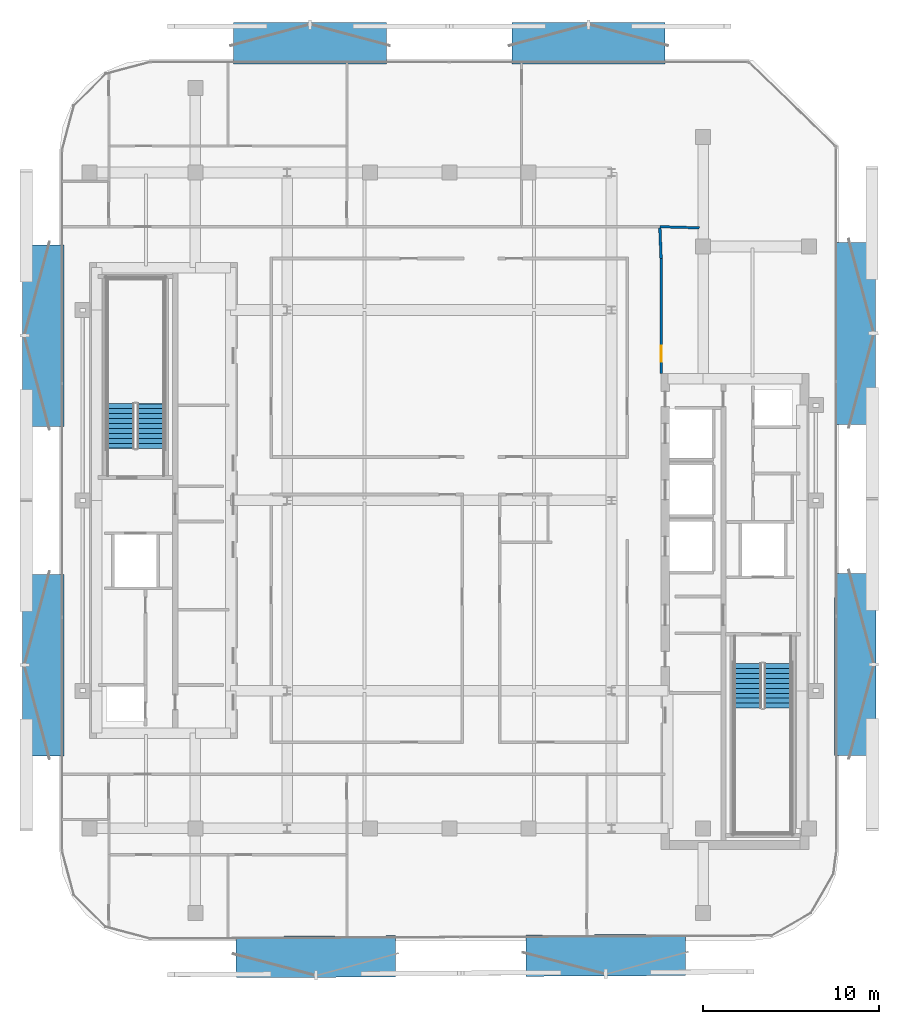
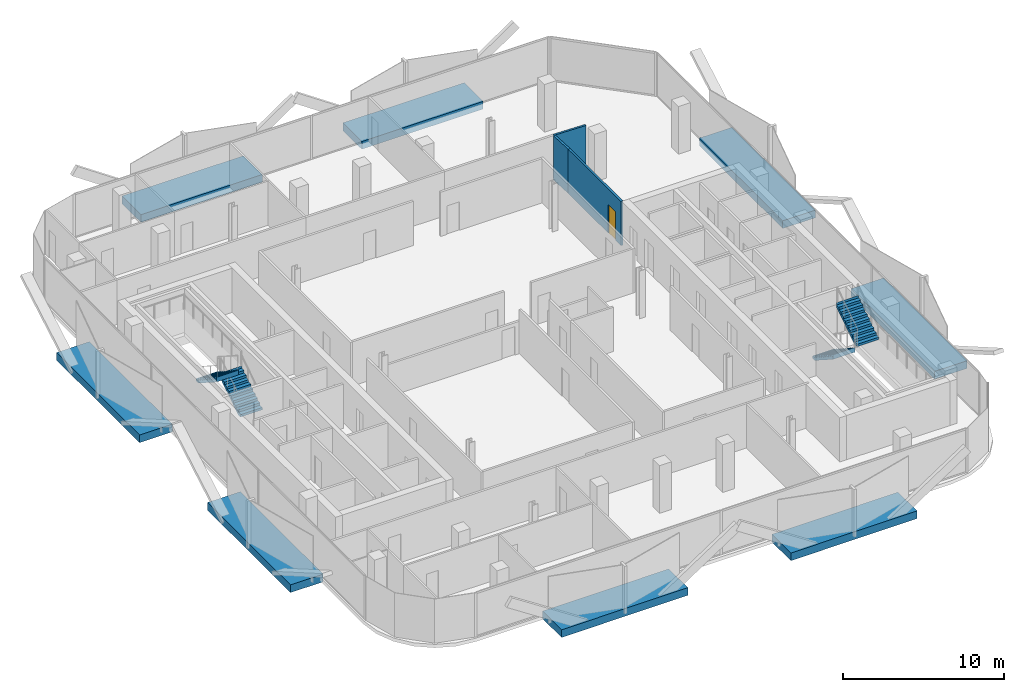
# One storey, part 6 of 14: 8 discrete accessories, 4 stair flights, 3 walls, 1 door, 1 opening, 2 elements without a shape of their own.
"""IFC4 building model written with IfcOpenShell, lengths in metres."""

import ifcopenshell
import ifcopenshell.guid

model = None  # the IFC model being written
_history = None  # IfcOwnerHistory: only IFC2X3 demands one
_inside = {}  # id of a spatial element -> (the spatial element, [elements in it])
_under = {}  # id of a project, library or spatial element -> (it, [spatial elements below it])
_declared = {}  # id of a project -> (the project, [libraries it declares])
_typed = {}  # id of a type object -> (the type object, [elements of that type])
_made_of = {}  # id of a material, layer set ... -> (it, [elements and type objects made of it])


def new_model(schema):
    """Start an empty IFC model of exactly this schema.

    Asked for "IFC4X3", IfcOpenShell would pick the latest addendum, in which some entities
    have other attributes; the version numbers below select the first issue.
    IFC2X3 requires an IfcOwnerHistory on every rooted entity: one is made here for all.
    """
    global model, _history
    if schema == "IFC4X3":
        model = ifcopenshell.file(schema_version=(4, 3, 0, 0))
    else:
        model = ifcopenshell.file(schema=schema)
    _inside.clear()
    _under.clear()
    _declared.clear()
    _typed.clear()
    _made_of.clear()
    _history = None
    if model.schema == "IFC2X3":
        org = make("IfcOrganization", Name="unknown")
        user = make(
            "IfcPersonAndOrganization",
            ThePerson=make("IfcPerson", FamilyName="unknown"),
            TheOrganization=org,
        )
        app = make(
            "IfcApplication",
            ApplicationDeveloper=org,
            Version="unknown",
            ApplicationFullName="unknown",
            ApplicationIdentifier="unknown",
        )
        _history = make(
            "IfcOwnerHistory",
            OwningUser=user,
            OwningApplication=app,
            ChangeAction="ADDED",
            CreationDate=0,
        )
    return model


def make(cls, **values):
    """One entity of the class cls with the attributes given. An attribute that is None is left unset."""
    return model.create_entity(
        cls, **{name: value for name, value in values.items() if value is not None}
    )


def rooted(cls, **values):
    """An entity with a GlobalId (a new one), such as an element, a storey or a relation."""
    return make(cls, GlobalId=ifcopenshell.guid.new(), OwnerHistory=_history, **values)


def si_unit(unit_type, name, prefix=None):
    """IfcSIUnit, for example si_unit("LENGTHUNIT", "METRE", prefix="MILLI")."""
    return make("IfcSIUnit", UnitType=unit_type, Prefix=prefix, Name=name)


def assignment(units):
    """IfcUnitAssignment: the units of a project."""
    return None if units is None else make("IfcUnitAssignment", Units=units)


def point(xyz):
    """IfcCartesianPoint."""
    return None if xyz is None else make("IfcCartesianPoint", Coordinates=xyz)


def direction(xyz):
    """IfcDirection."""
    return None if xyz is None else make("IfcDirection", DirectionRatios=xyz)


def frame(location, z_axis=None, x_axis=None):
    """IfcAxis2Placement3D, a coordinate frame: its origin and axes. An axis left out is left unset."""
    return make(
        "IfcAxis2Placement3D",
        Location=point(location),
        Axis=direction(z_axis),
        RefDirection=direction(x_axis),
    )


def frame_2d(location, x_axis=None):
    """IfcAxis2Placement2D, a coordinate frame in the plane: its origin and x axis."""
    return make(
        "IfcAxis2Placement2D", Location=point(location), RefDirection=direction(x_axis)
    )


def origin():
    """The frame at (0, 0, 0) with its axes left unset."""
    return frame((0.0, 0.0, 0.0))


def origin_2d():
    """The frame at (0, 0) in the plane with its x axis left unset."""
    return frame_2d((0.0, 0.0))


def place(relative_to, where):
    """IfcLocalPlacement: puts the frame where relative to a parent placement (None: the world)."""
    return make(
        "IfcLocalPlacement", PlacementRelTo=relative_to, RelativePlacement=where
    )


def context(
    kind, dimensions, precision=None, world=None, true_north=None, identifier=None
):
    """IfcGeometricRepresentationContext, for example the 3D "Model" context."""
    return make(
        "IfcGeometricRepresentationContext",
        ContextIdentifier=identifier,
        ContextType=kind,
        CoordinateSpaceDimension=dimensions,
        Precision=precision,
        WorldCoordinateSystem=world,
        TrueNorth=true_north,
    )


def subcontext(parent, identifier, kind, view, scale=None):
    """IfcGeometricRepresentationSubContext, for example "Body" below "Model"."""
    return make(
        "IfcGeometricRepresentationSubContext",
        ContextIdentifier=identifier,
        ContextType=kind,
        ParentContext=parent,
        TargetScale=scale,
        TargetView=view,
    )


def project(units=None, contexts=None):
    """IfcProject with its units and contexts."""
    return rooted(
        "IfcProject",
        Name="project",
        RepresentationContexts=contexts,
        UnitsInContext=assignment(units),
    )


def spatial(cls, under=None, at=None, **own):
    """A site, building, storey or space (cls), placed at a placement, below another one or the project."""
    s = rooted(cls, ObjectPlacement=at, **own)
    if under is not None:
        _under.setdefault(under.id(), (under, []))[1].append(s)
    return s


def polyline(points):
    """IfcPolyline through the points."""
    return make("IfcPolyline", Points=[point(p) for p in points])


def profile(cls, at=None, kind="AREA", **sizes):
    """A parametric profile (cls). Its sizes go by their IFC names, for example OverallWidth=200.0."""
    return make(cls, ProfileType=kind, Position=at, **sizes)


def rectangle(**sizes):
    """IfcRectangleProfileDef."""
    return profile("IfcRectangleProfileDef", **sizes)


def outline(outer, holes=None, kind="AREA"):
    """IfcArbitraryClosedProfileDef: a profile drawn as a closed curve; with holes, ...WithVoids."""
    if holes is None:
        return make("IfcArbitraryClosedProfileDef", ProfileType=kind, OuterCurve=outer)
    return make(
        "IfcArbitraryProfileDefWithVoids",
        ProfileType=kind,
        OuterCurve=outer,
        InnerCurves=holes,
    )


def extrude(swept, where, along, depth):
    """IfcExtrudedAreaSolid: the profile swept, set in the frame where, extruded along a direction by depth."""
    return make(
        "IfcExtrudedAreaSolid",
        SweptArea=swept,
        Position=where,
        ExtrudedDirection=direction(along),
        Depth=depth,
    )


def shape(context_of_items, identifier, shape_type, items):
    """IfcShapeRepresentation: the items that make up one representation, for example the "Body"."""
    return make(
        "IfcShapeRepresentation",
        ContextOfItems=context_of_items,
        RepresentationIdentifier=identifier,
        RepresentationType=shape_type,
        Items=items,
    )


def material(Name=None, Category=None):
    """IfcMaterial."""
    return make("IfcMaterial", Name=Name, Category=Category)


def layer(
    of_material, thickness, ventilated=None, Name=None, Category=None, Priority=None
):
    """IfcMaterialLayer: one layer of a wall or slab, of a material (None: an air gap)."""
    return make(
        "IfcMaterialLayer",
        Material=of_material,
        LayerThickness=thickness,
        IsVentilated=ventilated,
        Name=Name,
        Category=Category,
        Priority=Priority,
    )


def layer_set(layers, Name=None):
    """IfcMaterialLayerSet."""
    return make("IfcMaterialLayerSet", MaterialLayers=layers, LayerSetName=Name)


def made_of(thing, what):
    """Note that an element or type object is made of a material, layer set ...; save() writes the relation."""
    if what is not None:
        _made_of.setdefault(what.id(), (what, []))[1].append(thing)
    return thing


def type_object(cls, material=None, **own):
    """A type object (cls), such as IfcWallType, which elements share."""
    return made_of(rooted(cls, **own), material)


def element(
    cls,
    number,
    at=None,
    inside=None,
    cuts=None,
    type_object=None,
    material=None,
    context=None,
    identifier="Body",
    shape_type=None,
    held_by="IfcProductDefinitionShape",
    body=None,
    shapes=None,
    **own,
):
    """One element of the class cls, such as IfcWall. Its Tag is "e" and its number.

    at: its placement. inside: the storey or other place that contains it. cuts: it is an
    opening in that element (IfcRelVoidsElement). A single representation is given by context,
    identifier, shape_type and body (its items); several are given by shapes. held_by: the class
    of the entity that holds the representations. save() writes the other relations.
    """
    e = rooted(cls, Tag="e%d" % number, ObjectPlacement=at, **own)
    if body is not None:
        shapes = [shape(context, identifier, shape_type, body)]
    if shapes is not None:
        e.Representation = make(held_by, Representations=shapes)
    if inside is not None:
        _inside.setdefault(inside.id(), (inside, []))[1].append(e)
    if cuts is not None:
        rooted(
            "IfcRelVoidsElement", RelatingBuildingElement=cuts, RelatedOpeningElement=e
        )
    if type_object is not None:
        _typed.setdefault(type_object.id(), (type_object, []))[1].append(e)
    return made_of(e, material)


def fill(opening, filler):
    """IfcRelFillsElement: the door or window that sits in an opening."""
    return rooted(
        "IfcRelFillsElement",
        RelatingOpeningElement=opening,
        RelatedBuildingElement=filler,
    )


def aggregate(whole, parts):
    """IfcRelAggregates: a whole, such as a stair, and the parts it consists of."""
    return rooted("IfcRelAggregates", RelatingObject=whole, RelatedObjects=parts)


def save(model, path):
    """Write the relations noted so far, then the file.

    IfcRelAggregates (storeys below a building ...), IfcRelContainedInSpatialStructure (elements
    in a storey), IfcRelDefinesByType, IfcRelAssociatesMaterial and IfcRelDeclares: one each for
    every whole, place, type object, material and project.
    """
    for whole, parts in _under.values():
        aggregate(whole, parts)
    for where, things in _inside.values():
        rooted(
            "IfcRelContainedInSpatialStructure",
            RelatedElements=things,
            RelatingStructure=where,
        )
    for kind, things in _typed.values():
        rooted("IfcRelDefinesByType", RelatedObjects=things, RelatingType=kind)
    for what, things in _made_of.values():
        rooted("IfcRelAssociatesMaterial", RelatedObjects=things, RelatingMaterial=what)
    for by, libraries in _declared.values():
        rooted("IfcRelDeclares", RelatingContext=by, RelatedDefinitions=libraries)
    model.write(path)


model = new_model("IFC4")

# Units and contexts
model_context = context("Model", 3, precision=1e-05, world=origin(), true_north=direction((0.0, 1.0)))
body_context = subcontext(model_context, "Body", "Model", "MODEL_VIEW")
ifc_project = project(units=[si_unit("LENGTHUNIT", "METRE"), si_unit("AREAUNIT", "SQUARE_METRE"), si_unit("VOLUMEUNIT", "CUBIC_METRE"), si_unit("PLANEANGLEUNIT", "RADIAN"), si_unit("MASSUNIT", "GRAM", prefix="KILO")], contexts=[model_context])

# Site, building, storey
site_placement = place(None, origin())
site = spatial("IfcSite", under=ifc_project, at=site_placement, CompositionType="ELEMENT")
building_placement = place(site_placement, origin())
building = spatial("IfcBuilding", under=site, at=building_placement, Name="Khairoan Windgate Tower", CompositionType="ELEMENT")
storey_placement = place(building_placement, frame((0.0, 0.0, 240.39990234375)))
storey = spatial("IfcBuildingStorey", under=building, at=storey_placement, Name="L56", CompositionType="ELEMENT", Elevation=240.39990234375)

# Wall
ifc_material_1 = material(Name="Acoustic Fire-Rated Gypsum Partition", Category="gypsum")
ifc_layer_1 = layer(ifc_material_1, 0.139892578125, Name="Acoustic Fire-Rated Gypsum Partition")
ifc_layer_set_1 = layer_set([ifc_layer_1], Name="Acoustic Fire-Rated Gypsum Partition")
wall_type_1 = type_object("IfcWallType", Name="Inter-Tenancy Compartment Wall", PredefinedType="PARTITIONING", material=ifc_layer_set_1)
wall_1_placement = place(storey_placement, frame((11.93994140625, 15.52490234375, 0.0), z_axis=(0.0, 0.0, 1.0), x_axis=(0.99958000177, -0.028979649098, 0.0)))
element("IfcWall", 1, at=wall_1_placement, inside=storey, type_object=wall_type_1, Name="L56 Interior Partition 046", PredefinedType="PARTITIONING", context=body_context, shape_type="SweptSolid", body=[
    extrude(rectangle(XDim=2.240966796875, YDim=0.139892578125, at=frame_2d((1.12060546875, 0.0))), origin(), (0.0, 0.0, 1.0), 3.340087890625),
])

# Wall, opening, door
ifc_material_2 = material(Name="Acoustic Fire-Rated Gypsum Partition", Category="gypsum")
ifc_layer_2 = layer(ifc_material_2, 0.14990234375, Name="Acoustic Fire-Rated Gypsum Partition")
ifc_layer_set_2 = layer_set([ifc_layer_2], Name="Acoustic Fire-Rated Gypsum Partition")
wall_type_2 = type_object("IfcWallType", Name="Rated Corridor Partition Wall", PredefinedType="PARTITIONING", material=ifc_layer_set_2)
wall_2_placement = place(storey_placement, frame((12.014892578125, 7.199951171875, 0.0), z_axis=(0.0, 0.0, 1.0), x_axis=(0.0, 1.0, 0.0)))
wall_2 = element("IfcWall", 2, at=wall_2_placement, inside=storey, type_object=wall_type_2, Name="L56 Interior Partition 014", PredefinedType="PARTITIONING", context=body_context, shape_type="SweptSolid", body=[
    extrude(rectangle(XDim=6.52001953125, YDim=0.14990234375, at=frame_2d((3.260009765625, 0.0))), origin(), (0.0, 0.0, 1.0), 3.340087890625),
])
opening_placement = place(wall_2_placement, frame((0.669921875, 0.0, 0.0)))
opening = element("IfcOpeningElement", 3, at=opening_placement, cuts=wall_2, Name="Opening FD-ENT", PredefinedType="OPENING", context=body_context, shape_type="SweptSolid", body=[
    extrude(rectangle(XDim=0.89990234375, YDim=2.14990234375, at=frame_2d((0.449951171875, 1.074951171875))), frame((0.0, 0.0849609375, 0.0), z_axis=(0.0, -1.0, 0.0), x_axis=(1.0, 0.0, 0.0)), (0.0, 0.0, 1.0), 0.169921875),
])
ifc_material_3 = material(Name="Timber Fire-Rated Core", Category="wood")
door_type = type_object("IfcDoorType", Name="Unit and Office Fire Entrance Door FD-ENT 900x2150", OperationType="NOTDEFINED", PredefinedType="DOOR", material=ifc_material_3)
door_placement = place(opening_placement, origin())
door = element("IfcDoor", 4, at=door_placement, inside=storey, type_object=door_type, Name="L56 L56-28-L56-47 Door", OperationType="SINGLE_SWING_LEFT", OverallHeight=2.14990234375, OverallWidth=0.89990234375, PredefinedType="DOOR", context=body_context, shape_type="SweptSolid", body=[
    extrude(rectangle(XDim=0.89990234375, YDim=2.14990234375, at=frame_2d((0.449951171875, 1.074951171875))), frame((0.0, 0.02490234375, 0.0), z_axis=(0.0, -1.0, 0.0), x_axis=(1.0, 0.0, 0.0)), (0.0, 0.0, 1.0), 0.050048828125),
])
fill(opening, door)

# Wall
wall_3_placement = place(storey_placement, frame((12.014892578125, 13.719970703125, 0.0), z_axis=(0.0, 0.0, 1.0), x_axis=(-0.040046877756, 0.99919780203, 0.0)))
element("IfcWall", 5, at=wall_3_placement, inside=storey, type_object=wall_type_2, Name="L56 Interior Partition 028", PredefinedType="PARTITIONING", context=body_context, shape_type="SweptSolid", body=[
    extrude(rectangle(XDim=1.7314453125, YDim=0.14990234375, at=frame_2d((0.86572265625, 0.0))), origin(), (0.0, 0.0, 1.0), 3.340087890625),
])

# Stair, stair flights
ifc_material_4 = material(Name="Concrete C40/50", Category="concrete")
stair_type = type_object("IfcStairType", Name="Tower Core Dog-Leg Stair ST-T1 1560mm", PredefinedType="HALF_TURN_STAIR", material=ifc_material_4)
stair_1_placement = place(storey_placement, origin())
stair_1 = element("IfcStair", 6, at=stair_1_placement, inside=storey, type_object=stair_type, Name="L56 Stair ST1", PredefinedType="HALF_TURN_STAIR")
ifc_material_5 = material(Name="Concrete C40/50", Category="concrete")
ifc_layer_3 = layer(ifc_material_5, 0.14990234375, Name="Concrete C40/50")
ifc_layer_set_3 = layer_set([ifc_layer_3], Name="Concrete C40/50")
stair_flight_type = type_object("IfcStairFlightType", Name="Tower Core Stair Flight STF-1560", PredefinedType="STRAIGHT", material=ifc_layer_set_3)
stair_flight_1_placement = place(storey_placement, frame((16.929931640625, -9.260009765625, 0.0), z_axis=(0.0, 0.0, 1.0), x_axis=(0.0, -1.0, 0.0)))
stair_flight_1 = element("IfcStairFlight", 7, at=stair_flight_1_placement, type_object=stair_flight_type, Name="ST1 flight 1", NumberOfRisers=10, NumberOfTreads=9, PredefinedType="STRAIGHT", RiserHeight=0.18, TreadLength=0.28, context=body_context, shape_type="SweptSolid", body=[
    extrude(outline(polyline([(-0.00390625, 0.0), (-0.00390625, 0.179931640625), (0.0, 0.179931640625), (0.280029296875, 0.179931640625), (0.280029296875, 0.360107421875), (0.56005859375, 0.360107421875), (0.56005859375, 0.5400390625), (0.840087890625, 0.5400390625), (0.840087890625, 0.719970703125), (1.1201171875, 0.719970703125), (1.1201171875, 0.89990234375), (1.39990234375, 0.89990234375), (1.39990234375, 1.080078125), (1.679931640625, 1.080078125), (1.679931640625, 1.260009765625), (1.9599609375, 1.260009765625), (1.9599609375, 1.43994140625), (2.239990234375, 1.43994140625), (2.239990234375, 1.6201171875), (2.52001953125, 1.6201171875), (2.52001953125, 1.800048828125), (2.52392578125, 1.800048828125), (2.52392578125, 1.44189453125), (0.277099609375, 0.0), (-0.00390625, 0.0)])), frame((0.0, 0.780029296875, 0.0), z_axis=(0.0, -1.0, 0.0), x_axis=(1.0, 0.0, 0.0)), (0.0, 0.0, 1.0), 1.56005859375),
])
stair_flight_2_placement = place(storey_placement, frame((18.639892578125, -11.780029296875, 1.800048828125), z_axis=(0.0, 0.0, 1.0), x_axis=(0.0, 1.0, 0.0)))
stair_flight_2 = element("IfcStairFlight", 8, at=stair_flight_2_placement, type_object=stair_flight_type, Name="ST1 flight 2", NumberOfRisers=10, NumberOfTreads=9, PredefinedType="STRAIGHT", RiserHeight=0.18, TreadLength=0.28, context=body_context, shape_type="SweptSolid", body=[
    extrude(outline(polyline([(-0.00390625, 0.0), (-0.00390625, 0.179931640625), (0.0, 0.179931640625), (0.280029296875, 0.179931640625), (0.280029296875, 0.360107421875), (0.56005859375, 0.360107421875), (0.56005859375, 0.5400390625), (0.840087890625, 0.5400390625), (0.840087890625, 0.719970703125), (1.1201171875, 0.719970703125), (1.1201171875, 0.89990234375), (1.39990234375, 0.89990234375), (1.39990234375, 1.080078125), (1.679931640625, 1.080078125), (1.679931640625, 1.260009765625), (1.9599609375, 1.260009765625), (1.9599609375, 1.43994140625), (2.239990234375, 1.43994140625), (2.239990234375, 1.6201171875), (2.52001953125, 1.6201171875), (2.52001953125, 1.800048828125), (2.52392578125, 1.800048828125), (2.52392578125, 1.44189453125), (0.277099609375, 0.0), (-0.00390625, 0.0)])), frame((0.0, 0.780029296875, 0.0), z_axis=(0.0, -1.0, 0.0), x_axis=(1.0, 0.0, 0.0)), (0.0, 0.0, 1.0), 1.56005859375),
])
aggregate(stair_1, [stair_flight_1, stair_flight_2])

stair_2_placement = place(storey_placement, origin())
stair_2 = element("IfcStair", 9, at=stair_2_placement, inside=storey, type_object=stair_type, Name="L56 Stair ST2", PredefinedType="HALF_TURN_STAIR")
stair_flight_3_placement = place(storey_placement, frame((-16.929931640625, 2.9599609375, 0.0), z_axis=(0.0, 0.0, 1.0), x_axis=(0.0, 1.0, 0.0)))
stair_flight_3 = element("IfcStairFlight", 10, at=stair_flight_3_placement, type_object=stair_flight_type, Name="ST2 flight 1", NumberOfRisers=10, NumberOfTreads=9, PredefinedType="STRAIGHT", RiserHeight=0.18, TreadLength=0.28, context=body_context, shape_type="SweptSolid", body=[
    extrude(outline(polyline([(-0.00390625, 0.0), (-0.00390625, 0.179931640625), (0.0, 0.179931640625), (0.280029296875, 0.179931640625), (0.280029296875, 0.360107421875), (0.56005859375, 0.360107421875), (0.56005859375, 0.5400390625), (0.840087890625, 0.5400390625), (0.840087890625, 0.719970703125), (1.1201171875, 0.719970703125), (1.1201171875, 0.89990234375), (1.39990234375, 0.89990234375), (1.39990234375, 1.080078125), (1.679931640625, 1.080078125), (1.679931640625, 1.260009765625), (1.9599609375, 1.260009765625), (1.9599609375, 1.43994140625), (2.239990234375, 1.43994140625), (2.239990234375, 1.6201171875), (2.52001953125, 1.6201171875), (2.52001953125, 1.800048828125), (2.52392578125, 1.800048828125), (2.52392578125, 1.44189453125), (0.277099609375, 0.0), (-0.00390625, 0.0)])), frame((0.0, 0.780029296875, 0.0), z_axis=(0.0, -1.0, 0.0), x_axis=(1.0, 0.0, 0.0)), (0.0, 0.0, 1.0), 1.56005859375),
])
stair_flight_4_placement = place(storey_placement, frame((-18.639892578125, 5.47998046875, 1.800048828125), z_axis=(0.0, 0.0, 1.0), x_axis=(0.0, -1.0, 0.0)))
stair_flight_4 = element("IfcStairFlight", 11, at=stair_flight_4_placement, type_object=stair_flight_type, Name="ST2 flight 2", NumberOfRisers=10, NumberOfTreads=9, PredefinedType="STRAIGHT", RiserHeight=0.18, TreadLength=0.28, context=body_context, shape_type="SweptSolid", body=[
    extrude(outline(polyline([(-0.00390625, 0.0), (-0.00390625, 0.179931640625), (0.0, 0.179931640625), (0.280029296875, 0.179931640625), (0.280029296875, 0.360107421875), (0.56005859375, 0.360107421875), (0.56005859375, 0.5400390625), (0.840087890625, 0.5400390625), (0.840087890625, 0.719970703125), (1.1201171875, 0.719970703125), (1.1201171875, 0.89990234375), (1.39990234375, 0.89990234375), (1.39990234375, 1.080078125), (1.679931640625, 1.080078125), (1.679931640625, 1.260009765625), (1.9599609375, 1.260009765625), (1.9599609375, 1.43994140625), (2.239990234375, 1.43994140625), (2.239990234375, 1.6201171875), (2.52001953125, 1.6201171875), (2.52001953125, 1.800048828125), (2.52392578125, 1.800048828125), (2.52392578125, 1.44189453125), (0.277099609375, 0.0), (-0.00390625, 0.0)])), frame((0.0, 0.780029296875, 0.0), z_axis=(0.0, -1.0, 0.0), x_axis=(1.0, 0.0, 0.0)), (0.0, 0.0, 1.0), 1.56005859375),
])
aggregate(stair_2, [stair_flight_3, stair_flight_4])

# Discrete accessories
ifc_material_6 = material(Name="Steel S355", Category="steel")
discrete_accessory_type = type_object("IfcDiscreteAccessoryType", Name="Solar Screen Outrigger Slab Bracket SSB-1", PredefinedType="BRACKET", material=ifc_material_6)
for number, where, z_axis, x_axis, name in (
    (12, (8.8701171875, -25.80517578125, -0.419921875), (0.0, 0.0, 1.0), (-0.999988059021, -0.004886902454, 0.0), "L56 Solar Screen Outrigger Bracket 377"),
    (13, (-7.567138671875, -25.884521484375, -0.419921875), (0.0, 0.0, 1.0), (-0.999988059021, -0.004886902454, 0.0), "L56 Solar Screen Outrigger Bracket 378"),
):
    element("IfcDiscreteAccessory", number, at=place(storey_placement, frame(where, z_axis=z_axis, x_axis=x_axis)), inside=storey, type_object=discrete_accessory_type, Name=name, PredefinedType="BRACKET", context=body_context, shape_type="SweptSolid", body=[
        extrude(rectangle(XDim=9.041015625, YDim=2.340087890625, at=origin_2d()), origin(), (0.0, 0.0, 1.0), 0.580078125),
    ])
for number, where, z_axis, x_axis, name in (
    (14, (-23.030029296875, -9.345458984375, -0.419921875), (0.0, 0.0, 1.0), (0.0, 1.0, 0.0), "L56 Solar Screen Outrigger Bracket 379"),
    (15, (-23.030029296875, 9.345458984375, -0.419921875), (0.0, 0.0, 1.0), (0.0, 1.0, 0.0), "L56 Solar Screen Outrigger Bracket 380"),
):
    element("IfcDiscreteAccessory", number, at=place(storey_placement, frame(where, z_axis=z_axis, x_axis=x_axis)), inside=storey, type_object=discrete_accessory_type, Name=name, PredefinedType="BRACKET", context=body_context, shape_type="SweptSolid", body=[
        extrude(rectangle(XDim=10.280029296875, YDim=2.340087890625, at=origin_2d()), origin(), (0.0, 0.0, 1.0), 0.580078125),
    ])
for number, where, z_axis, x_axis, name in (
    (16, (-7.8955078125, 25.929931640625, -0.419921875), (0.0, 0.0, 1.0), (1.0, 0.0, 0.0), "L56 Solar Screen Outrigger Bracket 381"),
    (17, (7.8955078125, 25.929931640625, -0.419921875), (0.0, 0.0, 1.0), (1.0, 0.0, 0.0), "L56 Solar Screen Outrigger Bracket 382"),
):
    element("IfcDiscreteAccessory", number, at=place(storey_placement, frame(where, z_axis=z_axis, x_axis=x_axis)), inside=storey, type_object=discrete_accessory_type, Name=name, PredefinedType="BRACKET", context=body_context, shape_type="SweptSolid", body=[
        extrude(rectangle(XDim=8.68505859375, YDim=2.340087890625, at=origin_2d()), origin(), (0.0, 0.0, 1.0), 0.580078125),
    ])
for number, where, z_axis, x_axis, name in (
    (18, (23.01318359375, 9.4765625, -0.419921875), (0.0, 0.0, 1.0), (0.000523598752, -0.999999862922, 0.0), "L56 Solar Screen Outrigger Bracket 383"),
    (19, (23.02392578125, -9.30126953125, -0.419921875), (0.0, 0.0, 1.0), (0.000523598752, -0.999999862922, 0.0), "L56 Solar Screen Outrigger Bracket 384"),
):
    element("IfcDiscreteAccessory", number, at=place(storey_placement, frame(where, z_axis=z_axis, x_axis=x_axis)), inside=storey, type_object=discrete_accessory_type, Name=name, PredefinedType="BRACKET", context=body_context, shape_type="SweptSolid", body=[
        extrude(rectangle(XDim=10.327880859375, YDim=2.340087890625, at=origin_2d()), origin(), (0.0, 0.0, 1.0), 0.580078125),
    ])

save(model, "model.ifc")
